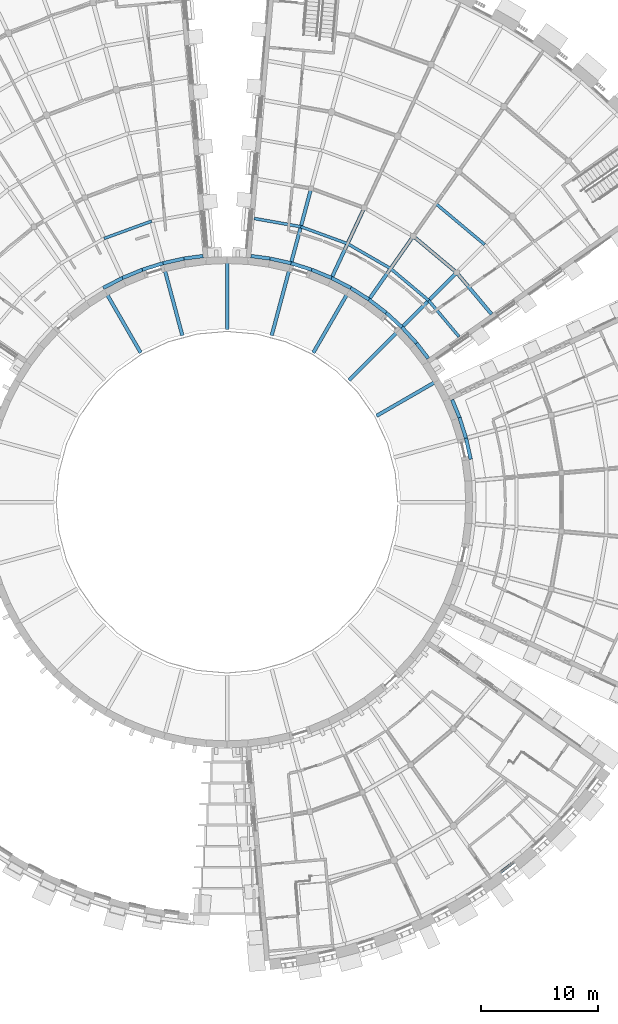
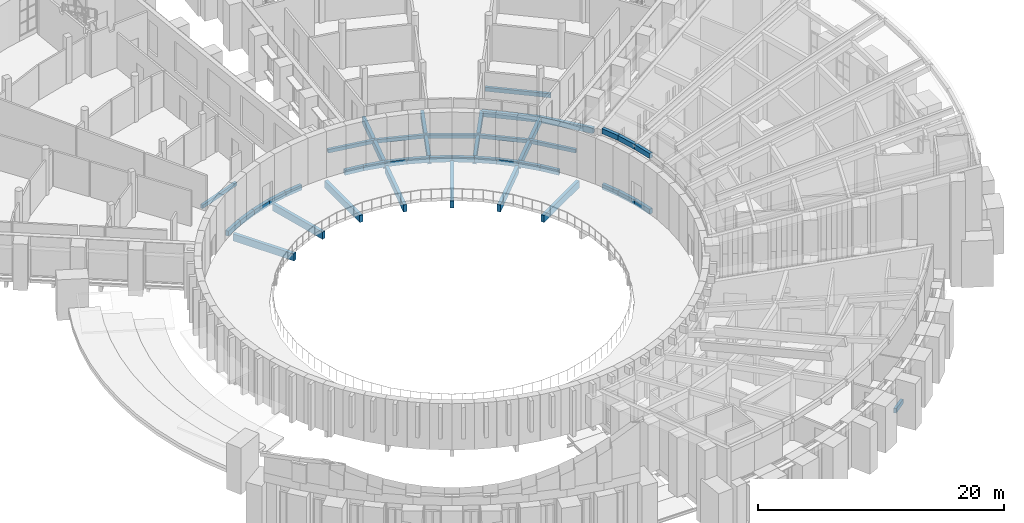
# One storey, part 5 of 50: 42 beams.
"""IFC4 building model written with IfcOpenShell, lengths in metres."""

from ifc_helpers import new_model, si_unit, direction, frame, origin, origin_2d, place, context, subcontext, project, spatial, rectangle, extrude, material, material_profile, profile_set, type_object, element, save


model = new_model("IFC4")

# Units and contexts
model_context = context("Model", 3, precision=1e-05, world=origin(), true_north=direction((0.0, 1.0)))
body_context = subcontext(model_context, "Body", "Model", "MODEL_VIEW")
ifc_project = project(units=[si_unit("LENGTHUNIT", "METRE"), si_unit("AREAUNIT", "SQUARE_METRE"), si_unit("VOLUMEUNIT", "CUBIC_METRE"), si_unit("PLANEANGLEUNIT", "RADIAN"), si_unit("MASSUNIT", "GRAM", prefix="KILO")], contexts=[model_context])

# Site, building, storey
site_placement = place(None, origin())
site = spatial("IfcSite", under=ifc_project, at=site_placement, CompositionType="ELEMENT")
building_placement = place(site_placement, origin())
building = spatial("IfcBuilding", under=site, at=building_placement, Name="Volute Hill Aquarium", CompositionType="ELEMENT")
storey_placement = place(building_placement, frame((0.0, 0.0, 9.199951171875)))
storey = spatial("IfcBuildingStorey", under=building, at=storey_placement, Name="L03", CompositionType="ELEMENT", Elevation=9.199951171875)

# Beams
ifc_material_1 = material(Name="Concrete C35/45", Category="concrete")
ifc_material_profile_1 = material_profile(ifc_material_1, rectangle(XDim=0.300048828125, YDim=0.550048828125, at=origin_2d()), Name="RC beam 300x550")
ifc_profile_set_1 = profile_set([ifc_material_profile_1], Name="Concrete C35/45")
beam_type_1 = type_object("IfcBeamType", Name="Beam 300x550 C35/45", PredefinedType="BEAM", material=ifc_profile_set_1)
beam_1_placement = place(storey_placement, frame((22.612548828125, 16.07763671875, -0.56494140625), z_axis=(-0.642753784499, 0.766072824549, 0.0), x_axis=(-0.766072824549, -0.642753784499, 0.0)))
element("IfcBeam", 1, at=beam_1_placement, inside=storey, type_object=beam_type_1, Name="bm/S5/L03/ring1.17", PredefinedType="BEAM", context=body_context, shape_type="SweptSolid", body=[
    extrude(rectangle(XDim=0.300048828125, YDim=0.550048828125, at=origin_2d()), origin(), (0.0, 0.0, 1.0), 4.638427734375),
])
beam_2_placement = place(storey_placement, frame((19.631103515625, 19.631103515625, -0.56494140625), z_axis=(-0.766062524641, 0.642766060352, 0.0), x_axis=(-0.642766060352, -0.766062524641, 0.0)))
element("IfcBeam", 2, at=beam_2_placement, inside=storey, type_object=beam_type_1, Name="bm/S5/L03/ring1.18", PredefinedType="BEAM", context=body_context, shape_type="SweptSolid", body=[
    extrude(rectangle(XDim=0.300048828125, YDim=0.550048828125, at=origin_2d()), origin(), (0.0, 0.0, 1.0), 4.83935546875),
])
ifc_material_2 = material(Name="Concrete C35/45", Category="concrete")
ifc_material_profile_2 = material_profile(ifc_material_2, rectangle(XDim=0.300048828125, YDim=0.64990234375, at=origin_2d()), Name="RC beam 300x650")
ifc_profile_set_2 = profile_set([ifc_material_profile_2], Name="Concrete C35/45")
beam_type_2 = type_object("IfcBeamType", Name="Beam 300x650 C35/45", PredefinedType="BEAM", material=ifc_profile_set_2)
beam_3_placement = place(storey_placement, frame((14.84912109375, 14.84912109375, -0.614990234375), z_axis=(0.707106781187, 0.707106781187, 0.0), x_axis=(-0.707106781187, 0.707106781187, 0.0)))
element("IfcBeam", 3, at=beam_3_placement, inside=storey, type_object=beam_type_2, Name="bm/S5/L03/rad1.1", PredefinedType="BEAM", context=body_context, shape_type="SweptSolid", body=[
    extrude(rectangle(XDim=0.300048828125, YDim=0.64990234375, at=origin_2d()), origin(), (0.0, 0.0, 1.0), 6.7626953125),
])
for number, where, z_axis, x_axis, name in (
    (4, (12.045166015625, 17.2021484375, -0.614990234375), (0.573559259618, 0.819164071299, 0.0), (-0.819164071299, 0.573559259618, 0.0), "bm/S5/L03/rad2.5"),
    (5, (8.875, 19.032470703125, -0.614990234375), (0.422612703053, 0.906310379074, 0.0), (-0.906310379074, 0.422612703053, 0.0), "bm/S5/L03/rad3.9"),
    (6, (5.435302734375, 20.284423828125, -0.614990234375), (0.258819697111, 0.965925651584, 0.0), (-0.965925651584, 0.258819697111, 0.0), "bm/S5/L03/rad4.13"),
):
    element("IfcBeam", number, at=place(storey_placement, frame(where, z_axis=z_axis, x_axis=x_axis)), inside=storey, type_object=beam_type_2, Name=name, PredefinedType="BEAM", context=body_context, shape_type="SweptSolid", body=[
        extrude(rectangle(XDim=0.300048828125, YDim=0.64990234375, at=origin_2d()), origin(), (0.0, 0.0, 1.0), 6.762451171875),
    ])
ifc_material_3 = material(Name="Concrete C35/45", Category="concrete")
ifc_material_profile_3 = material_profile(ifc_material_3, rectangle(XDim=0.300048828125, YDim=0.5, at=origin_2d()), Name="RC edge beam 300x500")
ifc_profile_set_3 = profile_set([ifc_material_profile_3], Name="Concrete C35/45")
beam_type_3 = type_object("IfcBeamType", Name="Edge beam 300x500 C35/45", PredefinedType="BEAM", material=ifc_profile_set_3)
for number, where, z_axis, x_axis, name in (
    (7, (20.828857421875, 3.672607421875, -0.489990234375), (-0.216454127071, 0.976292789523, 0.0), (-0.976292789523, -0.216454127071, 0.0), "bm/S4/L03/edgeD.26"),
    (8, (20.429443359375, 5.47412109375, -0.489990234375), (-0.300745072312, 0.953704567191, 0.0), (-0.953704567191, -0.300745072312, 0.0), "bm/S4/L03/edgeD.27"),
):
    element("IfcBeam", number, at=place(storey_placement, frame(where, z_axis=z_axis, x_axis=x_axis)), inside=storey, type_object=beam_type_3, Name=name, PredefinedType="BEAM", context=body_context, shape_type="SweptSolid", body=[
        extrude(rectangle(XDim=0.300048828125, YDim=0.5, at=origin_2d()), origin(), (0.0, 0.0, 1.0), 1.84521484375),
    ])
beam_4_placement = place(storey_placement, frame((19.87451171875, 7.23388671875, -0.489990234375), z_axis=(-0.382675169935, 0.923882954879, 0.0), x_axis=(-0.923882954879, -0.382675169935, 0.0)))
element("IfcBeam", 9, at=beam_4_placement, inside=storey, type_object=beam_type_3, Name="bm/S4/L03/edgeD.28", PredefinedType="BEAM", context=body_context, shape_type="SweptSolid", body=[
    extrude(rectangle(XDim=0.300048828125, YDim=0.5, at=origin_2d()), origin(), (0.0, 0.0, 1.0), 1.644775390625),
])
beam_5_placement = place(storey_placement, frame((20.828857421875, 3.672607421875, 5.05126953125), z_axis=(-0.216440440405, 0.976231057304, -0.011245377405), x_axis=(-0.976292789523, -0.216454127071, 0.0)))
element("IfcBeam", 10, at=beam_5_placement, inside=storey, type_object=beam_type_3, Name="rb/S4/L03/edgeD.26", PredefinedType="BEAM", context=body_context, shape_type="SweptSolid", body=[
    extrude(rectangle(XDim=0.300048828125, YDim=0.5, at=origin_2d()), origin(), (0.0, 0.0, 1.0), 1.845458984375),
])
beam_6_placement = place(storey_placement, frame((20.429443359375, 5.47412109375, 5.030517578125), z_axis=(-0.300726054377, 0.953644258668, 0.011245804937), x_axis=(-0.953704567191, -0.300745072312, 0.0)))
element("IfcBeam", 11, at=beam_6_placement, inside=storey, type_object=beam_type_3, Name="rb/S4/L03/edgeD.27", PredefinedType="BEAM", context=body_context, shape_type="SweptSolid", body=[
    extrude(rectangle(XDim=0.300048828125, YDim=0.5, at=origin_2d()), origin(), (0.0, 0.0, 1.0), 1.84521484375),
])
beam_7_placement = place(storey_placement, frame((19.87451171875, 7.23388671875, 5.05126953125), z_axis=(-0.382650820956, 0.923824169755, -0.011280629322), x_axis=(-0.923882954879, -0.382675169935, 0.0)))
element("IfcBeam", 12, at=beam_7_placement, inside=storey, type_object=beam_type_3, Name="rb/S4/L03/edgeD.28", PredefinedType="BEAM", context=body_context, shape_type="SweptSolid", body=[
    extrude(rectangle(XDim=0.300048828125, YDim=0.5, at=origin_2d()), origin(), (0.0, 0.0, 1.0), 1.644775390625),
])
beam_8_placement = place(storey_placement, frame((17.203369140625, 12.2900390625, -0.5400390625), z_axis=(-0.608820957391, 0.793307659009, 0.0), x_axis=(-0.793307659009, -0.608820957391, 0.0)))
element("IfcBeam", 13, at=beam_8_placement, inside=storey, type_object=beam_type_3, Name="bm/S5/L03/edgeD.32", PredefinedType="BEAM", context=body_context, shape_type="SweptSolid", body=[
    extrude(rectangle(XDim=0.300048828125, YDim=0.5, at=origin_2d()), origin(), (0.0, 0.0, 1.0), 1.64501953125),
])
for number, where, z_axis, x_axis, name in (
    (14, (16.201904296875, 13.594970703125, -0.5400390625), (-0.675604786356, 0.73726397759, 0.0), (-0.73726397759, -0.675604786356, 0.0), "bm/S5/L03/edgeD.33"),
    (15, (14.955322265625, 14.955322265625, -0.5400390625), (-0.73726397759, 0.675604786356, 0.0), (-0.675604786356, -0.73726397759, 0.0), "bm/S5/L03/edgeD.34"),
    (16, (13.594970703125, 16.201904296875, -0.5400390625), (-0.79334647843, 0.608770371457, 0.0), (-0.608770371457, -0.79334647843, 0.0), "bm/S5/L03/edgeD.35"),
):
    element("IfcBeam", number, at=place(storey_placement, frame(where, z_axis=z_axis, x_axis=x_axis)), inside=storey, type_object=beam_type_3, Name=name, PredefinedType="BEAM", context=body_context, shape_type="SweptSolid", body=[
        extrude(rectangle(XDim=0.300048828125, YDim=0.5, at=origin_2d()), origin(), (0.0, 0.0, 1.0), 1.84521484375),
    ])
beam_9_placement = place(storey_placement, frame((12.131103515625, 17.3251953125, -0.5400390625), z_axis=(-0.843334400185, 0.537389141558, 0.0), x_axis=(-0.537389141558, -0.843334400185, 0.0)))
element("IfcBeam", 17, at=beam_9_placement, inside=storey, type_object=beam_type_3, Name="bm/S5/L03/edgeD.36", PredefinedType="BEAM", context=body_context, shape_type="SweptSolid", body=[
    extrude(rectangle(XDim=0.300048828125, YDim=0.5, at=origin_2d()), origin(), (0.0, 0.0, 1.0), 1.844970703125),
])
beam_10_placement = place(storey_placement, frame((10.5751953125, 18.316650390625, -0.5400390625), z_axis=(-0.887058600994, 0.461656840523, 0.0), x_axis=(-0.461656840523, -0.887058600994, 0.0)))
element("IfcBeam", 18, at=beam_10_placement, inside=storey, type_object=beam_type_3, Name="bm/S5/L03/edgeD.37", PredefinedType="BEAM", context=body_context, shape_type="SweptSolid", body=[
    extrude(rectangle(XDim=0.300048828125, YDim=0.5, at=origin_2d()), origin(), (0.0, 0.0, 1.0), 1.84521484375),
])
beam_11_placement = place(storey_placement, frame((8.9384765625, 19.16845703125, -0.5400390625), z_axis=(-0.923881361379, 0.382679017059, 0.0), x_axis=(-0.382679017059, -0.923881361379, 0.0)))
element("IfcBeam", 19, at=beam_11_placement, inside=storey, type_object=beam_type_3, Name="bm/S5/L03/edgeD.38", PredefinedType="BEAM", context=body_context, shape_type="SweptSolid", body=[
    extrude(rectangle(XDim=0.300048828125, YDim=0.5, at=origin_2d()), origin(), (0.0, 0.0, 1.0), 1.844970703125),
])
for number, where, z_axis, x_axis, name in (
    (20, (7.23388671875, 19.87451171875, -0.5400390625), (-0.953704567191, 0.300745072312, 0.0), (-0.300745072312, -0.953704567191, 0.0), "bm/S5/L03/edgeD.39"),
    (21, (5.47412109375, 20.429443359375, -0.5400390625), (-0.976292789523, 0.216454127071, 0.0), (-0.216454127071, -0.976292789523, 0.0), "bm/S5/L03/edgeD.40"),
):
    element("IfcBeam", number, at=place(storey_placement, frame(where, z_axis=z_axis, x_axis=x_axis)), inside=storey, type_object=beam_type_3, Name=name, PredefinedType="BEAM", context=body_context, shape_type="SweptSolid", body=[
        extrude(rectangle(XDim=0.300048828125, YDim=0.5, at=origin_2d()), origin(), (0.0, 0.0, 1.0), 1.84521484375),
    ])
for number, where, z_axis, x_axis, name in (
    (22, (3.672607421875, 20.828857421875, -0.5400390625), (-0.99143407694, 0.130608081992, 0.0), (-0.130608081992, -0.99143407694, 0.0), "bm/S5/L03/edgeD.41"),
    (23, (-2.041748046875, 21.043701171875, -0.570068359375), (-0.99143407694, -0.130608081992, 0.0), (0.130608081992, -0.99143407694, 0.0), "bm/S6/L03/edgeD.32"),
):
    element("IfcBeam", number, at=place(storey_placement, frame(where, z_axis=z_axis, x_axis=x_axis)), inside=storey, type_object=beam_type_3, Name=name, PredefinedType="BEAM", context=body_context, shape_type="SweptSolid", body=[
        extrude(rectangle(XDim=0.300048828125, YDim=0.5, at=origin_2d()), origin(), (0.0, 0.0, 1.0), 1.64501953125),
    ])
for number, where, z_axis, x_axis, name in (
    (24, (-3.672607421875, 20.828857421875, -0.570068359375), (-0.976292789523, -0.216454127071, 0.0), (0.216454127071, -0.976292789523, 0.0), "bm/S6/L03/edgeD.33"),
    (25, (-5.47412109375, 20.429443359375, -0.570068359375), (-0.953704567191, -0.300745072312, 0.0), (0.300745072312, -0.953704567191, 0.0), "bm/S6/L03/edgeD.34"),
):
    element("IfcBeam", number, at=place(storey_placement, frame(where, z_axis=z_axis, x_axis=x_axis)), inside=storey, type_object=beam_type_3, Name=name, PredefinedType="BEAM", context=body_context, shape_type="SweptSolid", body=[
        extrude(rectangle(XDim=0.300048828125, YDim=0.5, at=origin_2d()), origin(), (0.0, 0.0, 1.0), 1.84521484375),
    ])
beam_12_placement = place(storey_placement, frame((-7.23388671875, 19.87451171875, -0.570068359375), z_axis=(-0.923881361379, -0.382679017059, 0.0), x_axis=(0.382679017059, -0.923881361379, 0.0)))
element("IfcBeam", 26, at=beam_12_placement, inside=storey, type_object=beam_type_3, Name="bm/S6/L03/edgeD.35", PredefinedType="BEAM", context=body_context, shape_type="SweptSolid", body=[
    extrude(rectangle(XDim=0.300048828125, YDim=0.5, at=origin_2d()), origin(), (0.0, 0.0, 1.0), 1.844970703125),
])
beam_13_placement = place(storey_placement, frame((-8.9384765625, 19.16845703125, -0.570068359375), z_axis=(-0.887058600994, -0.461656840523, 0.0), x_axis=(0.461656840523, -0.887058600994, 0.0)))
element("IfcBeam", 27, at=beam_13_placement, inside=storey, type_object=beam_type_3, Name="bm/S6/L03/edgeD.36", PredefinedType="BEAM", context=body_context, shape_type="SweptSolid", body=[
    extrude(rectangle(XDim=0.300048828125, YDim=0.5, at=origin_2d()), origin(), (0.0, 0.0, 1.0), 1.84521484375),
])
ifc_material_4 = material(Name="Concrete C35/45", Category="concrete")
ifc_material_profile_4 = material_profile(ifc_material_4, rectangle(XDim=0.300048828125, YDim=0.699951171875, at=origin_2d()), Name="RC beam 300x700")
ifc_profile_set_4 = profile_set([ifc_material_profile_4], Name="Concrete C35/45")
beam_type_4 = type_object("IfcBeamType", Name="Gallery beam RC 300x700", PredefinedType="BEAM", material=ifc_profile_set_4)
beam_14_placement = place(storey_placement, frame((12.77392578125, 7.375, -0.64990234375), z_axis=(0.866018712932, 0.500011588718, 0.0), x_axis=(-0.500011588718, 0.866018712932, 0.0)))
element("IfcBeam", 28, at=beam_14_placement, inside=storey, type_object=beam_type_4, Name="bm/DR/L03/2", PredefinedType="BEAM", context=body_context, shape_type="SweptSolid", body=[
    extrude(rectangle(XDim=0.300048828125, YDim=0.699951171875, at=origin_2d()), origin(), (0.0, 0.0, 1.0), 5.749755859375),
])
beam_15_placement = place(storey_placement, frame((10.4296875, 10.4296875, -0.64990234375), z_axis=(0.707106781187, 0.707106781187, 0.0), x_axis=(-0.707106781187, 0.707106781187, 0.0)))
element("IfcBeam", 29, at=beam_15_placement, inside=storey, type_object=beam_type_4, Name="bm/DR/L03/3", PredefinedType="BEAM", context=body_context, shape_type="SweptSolid", body=[
    extrude(rectangle(XDim=0.300048828125, YDim=0.699951171875, at=origin_2d()), origin(), (0.0, 0.0, 1.0), 5.75),
])
beam_16_placement = place(storey_placement, frame((7.375, 12.77392578125, -0.64990234375), z_axis=(0.500011588718, 0.866018712932, 0.0), x_axis=(-0.866018712932, 0.500011588718, 0.0)))
element("IfcBeam", 30, at=beam_16_placement, inside=storey, type_object=beam_type_4, Name="bm/DR/L03/4", PredefinedType="BEAM", context=body_context, shape_type="SweptSolid", body=[
    extrude(rectangle(XDim=0.300048828125, YDim=0.699951171875, at=origin_2d()), origin(), (0.0, 0.0, 1.0), 5.749755859375),
])
beam_17_placement = place(storey_placement, frame((3.817626953125, 14.247314453125, -0.64990234375), z_axis=(0.258825219825, 0.965924171756, 0.0), x_axis=(-0.965924171756, 0.258825219825, 0.0)))
element("IfcBeam", 31, at=beam_17_placement, inside=storey, type_object=beam_type_4, Name="bm/DR/L03/5", PredefinedType="BEAM", context=body_context, shape_type="SweptSolid", body=[
    extrude(rectangle(XDim=0.300048828125, YDim=0.699951171875, at=origin_2d()), origin(), (0.0, 0.0, 1.0), 5.750244140625),
])
beam_18_placement = place(storey_placement, frame((0.0, 14.75, -0.64990234375), z_axis=(0.0, 1.0, 0.0), x_axis=(-1.0, 0.0, 0.0)))
element("IfcBeam", 32, at=beam_18_placement, inside=storey, type_object=beam_type_4, Name="bm/DR/L03/6", PredefinedType="BEAM", context=body_context, shape_type="SweptSolid", body=[
    extrude(rectangle(XDim=0.300048828125, YDim=0.699951171875, at=origin_2d()), origin(), (0.0, 0.0, 1.0), 5.75),
])
beam_19_placement = place(storey_placement, frame((-3.817626953125, 14.247314453125, -0.64990234375), z_axis=(-0.258825219825, 0.965924171756, 0.0), x_axis=(-0.965924171756, -0.258825219825, 0.0)))
element("IfcBeam", 33, at=beam_19_placement, inside=storey, type_object=beam_type_4, Name="bm/DR/L03/7", PredefinedType="BEAM", context=body_context, shape_type="SweptSolid", body=[
    extrude(rectangle(XDim=0.300048828125, YDim=0.699951171875, at=origin_2d()), origin(), (0.0, 0.0, 1.0), 5.750244140625),
])
beam_20_placement = place(storey_placement, frame((-7.375, 12.77392578125, -0.64990234375), z_axis=(-0.500011588718, 0.866018712932, 0.0), x_axis=(-0.866018712932, -0.500011588718, 0.0)))
element("IfcBeam", 34, at=beam_20_placement, inside=storey, type_object=beam_type_4, Name="bm/DR/L03/8", PredefinedType="BEAM", context=body_context, shape_type="SweptSolid", body=[
    extrude(rectangle(XDim=0.300048828125, YDim=0.699951171875, at=origin_2d()), origin(), (0.0, 0.0, 1.0), 5.749755859375),
])
ifc_material_5 = material(Name="Concrete C35/45", Category="concrete")
ifc_material_profile_5 = material_profile(ifc_material_5, rectangle(XDim=0.25, YDim=0.35009765625, at=origin_2d()), Name="RC joist 250x350")
ifc_profile_set_5 = profile_set([ifc_material_profile_5], Name="Concrete C35/45")
beam_type_5 = type_object("IfcBeamType", Name="Joist 250x350 C35/45", PredefinedType="BEAM", material=ifc_profile_set_5)
beam_21_placement = place(storey_placement, frame((19.843017578125, 14.13818359375, -0.46484375), z_axis=(-0.642831451893, 0.766007653002, 0.0), x_axis=(-0.766007653002, -0.642831451893, 0.0)))
element("IfcBeam", 35, at=beam_21_placement, inside=storey, type_object=beam_type_5, Name="bm/S5/L03/jst1", PredefinedType="BEAM", context=body_context, shape_type="SweptSolid", body=[
    extrude(rectangle(XDim=0.25, YDim=0.35009765625, at=origin_2d()), origin(), (0.0, 0.0, 1.0), 4.04931640625),
])
beam_22_placement = place(storey_placement, frame((17.239990234375, 17.239990234375, -0.46484375), z_axis=(-0.766003551743, 0.642836338983, 0.0), x_axis=(-0.642836338983, -0.766003551743, 0.0)))
element("IfcBeam", 36, at=beam_22_placement, inside=storey, type_object=beam_type_5, Name="bm/S5/L03/jst2", PredefinedType="BEAM", context=body_context, shape_type="SweptSolid", body=[
    extrude(rectangle(XDim=0.25, YDim=0.35009765625, at=origin_2d()), origin(), (0.0, 0.0, 1.0), 4.249755859375),
])
for number, where, z_axis, x_axis, name in (
    (37, (13.984619140625, 19.971923828125, -0.46484375), (-0.866028703517, 0.499994284652, 0.0), (-0.499994284652, -0.866028703517, 0.0), "bm/S5/L03/jst3"),
    (38, (10.303955078125, 22.096923828125, -0.46484375), (-0.939689391499, 0.342029015588, 0.0), (-0.342029015588, -0.939689391499, 0.0), "bm/S5/L03/jst4"),
):
    element("IfcBeam", number, at=place(storey_placement, frame(where, z_axis=z_axis, x_axis=x_axis)), inside=storey, type_object=beam_type_5, Name=name, PredefinedType="BEAM", context=body_context, shape_type="SweptSolid", body=[
        extrude(rectangle(XDim=0.25, YDim=0.35009765625, at=origin_2d()), origin(), (0.0, 0.0, 1.0), 4.25),
    ])
beam_23_placement = place(storey_placement, frame((6.310302734375, 23.550537109375, -0.46484375), z_axis=(-0.984807222766, 0.173651184814, 0.0), x_axis=(-0.173651184814, -0.984807222766, 0.0)))
element("IfcBeam", 39, at=beam_23_placement, inside=storey, type_object=beam_type_5, Name="bm/S5/L03/jst5", PredefinedType="BEAM", context=body_context, shape_type="SweptSolid", body=[
    extrude(rectangle(XDim=0.25, YDim=0.35009765625, at=origin_2d()), origin(), (0.0, 0.0, 1.0), 4.049072265625),
])
beam_24_placement = place(storey_placement, frame((-6.43798828125, 24.02734375, -0.494873046875), z_axis=(-0.939704621376, -0.341987170176, 0.0), x_axis=(0.341987170176, -0.939704621376, 0.0)))
element("IfcBeam", 40, at=beam_24_placement, inside=storey, type_object=beam_type_5, Name="bm/S6/L03/jst2", PredefinedType="BEAM", context=body_context, shape_type="SweptSolid", body=[
    extrude(rectangle(XDim=0.25, YDim=0.35009765625, at=origin_2d()), origin(), (0.0, 0.0, 1.0), 4.336181640625),
])
ifc_material_6 = material(Name="Concrete C35/45", Category="concrete")
ifc_material_profile_6 = material_profile(ifc_material_6, rectangle(XDim=0.25, YDim=0.39990234375, at=origin_2d()), Name="RC joist 250x400")
ifc_profile_set_6 = profile_set([ifc_material_profile_6], Name="Concrete C35/45")
beam_type_6 = type_object("IfcBeamType", Name="Joist 250x400 C35/45", PredefinedType="BEAM", material=ifc_profile_set_6)
beam_25_placement = place(storey_placement, frame((22.02197265625, 22.02197265625, -0.489990234375), z_axis=(-0.766049383872, 0.64278172148, 0.0), x_axis=(-0.64278172148, -0.766049383872, 0.0)))
element("IfcBeam", 41, at=beam_25_placement, inside=storey, type_object=beam_type_6, Name="bm/S5/L03/jst7", PredefinedType="BEAM", context=body_context, shape_type="SweptSolid", body=[
    extrude(rectangle(XDim=0.25, YDim=0.39990234375, at=origin_2d()), origin(), (0.0, 0.0, 1.0), 5.4287109375),
])
ifc_material_7 = material(Name="Concrete C35/45", Category="concrete")
ifc_material_profile_7 = material_profile(ifc_material_7, rectangle(XDim=0.25, YDim=0.449951171875, at=origin_2d()), Name="RC beam 250x450")
ifc_profile_set_7 = profile_set([ifc_material_profile_7], Name="Concrete C35/45")
beam_type_7 = type_object("IfcBeamType", Name="Niche sill beam RC 250x450 C35/45", PredefinedType="BEAM", material=ifc_profile_set_7)
beam_26_placement = place(storey_placement, frame((23.356201171875, -31.66162109375, 0.22509765625), z_axis=(0.793421630925, 0.608672420584, 0.0), x_axis=(-0.608672420584, 0.793421630925, 0.0)))
element("IfcBeam", 42, at=beam_26_placement, inside=storey, type_object=beam_type_7, Name="Niche sill beam OWB S3 L03 7", PredefinedType="BEAM", context=body_context, shape_type="SweptSolid", body=[
    extrude(rectangle(XDim=0.25, YDim=0.449951171875, at=origin_2d()), origin(), (0.0, 0.0, 1.0), 1.4892578125),
])

save(model, "model.ifc")
